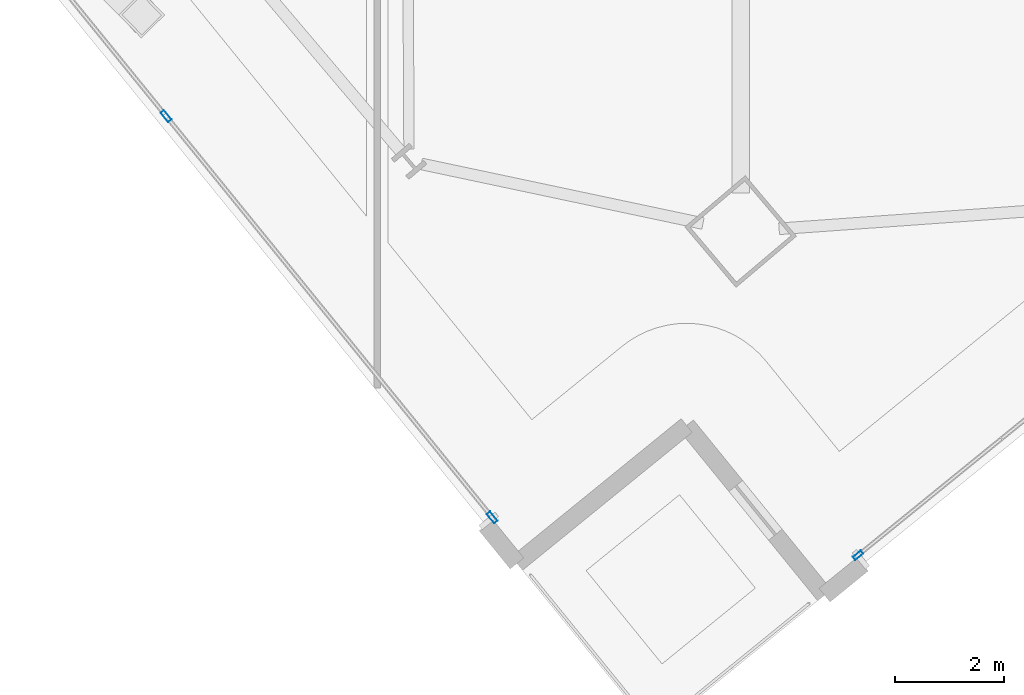
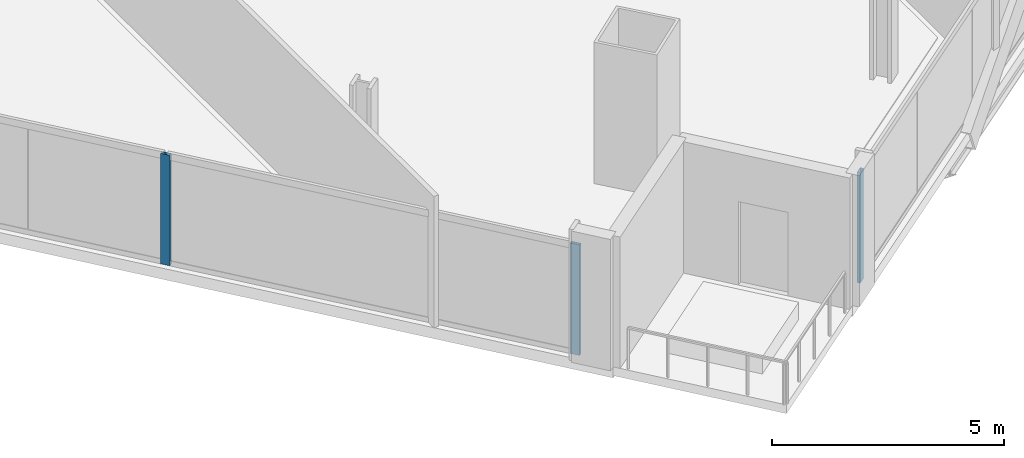
# One storey, part 2 of 36: 3 members, 2 elements without a shape of their own.
"""IFC4 building model written with IfcOpenShell, lengths in metres."""

from ifc_helpers import new_model, si_unit, direction, frame, origin, origin_2d, place, context, subcontext, project, spatial, hollow_rectangle, extrude, material, material_profile, profile_set, type_object, element, aggregate, save


model = new_model("IFC4")

# Units and contexts
model_context = context("Model", 3, precision=1e-05, world=origin(), true_north=direction((0.0, 1.0)))
body_context = subcontext(model_context, "Body", "Model", "MODEL_VIEW")
ifc_project = project(units=[si_unit("LENGTHUNIT", "METRE"), si_unit("AREAUNIT", "SQUARE_METRE"), si_unit("VOLUMEUNIT", "CUBIC_METRE"), si_unit("PLANEANGLEUNIT", "RADIAN"), si_unit("MASSUNIT", "GRAM", prefix="KILO")], contexts=[model_context])

# Site, building, storey
site_placement = place(None, origin())
site = spatial("IfcSite", under=ifc_project, at=site_placement, CompositionType="ELEMENT")
building_placement = place(site_placement, origin())
building = spatial("IfcBuilding", under=site, at=building_placement, Name="Haldenkirk Collegiate Tower", CompositionType="ELEMENT")
storey_placement = place(building_placement, frame((0.0, 0.0, 159.449951171875)))
storey = spatial("IfcBuildingStorey", under=building, at=storey_placement, Name="L39", CompositionType="ELEMENT", Elevation=159.449951171875)

# Curtain wall, member
ifc_material = material(Name="Anodised architectural bronze aluminium", Category="aluminium")
curtain_wall_type_1 = type_object("IfcCurtainWallType", Name="CW-SYS2-CONCAVE", PredefinedType="USERDEFINED", material=ifc_material)
curtain_wall_1_placement = place(storey_placement, origin())
curtain_wall_1 = element("IfcCurtainWall", 1, at=curtain_wall_1_placement, inside=storey, type_object=curtain_wall_type_1, Name="L39 South concave recessed bronze-anodised curtain wall", ObjectType="UNITISED CURTAIN WALL", PredefinedType="USERDEFINED")
ifc_material_profile_1 = material_profile(ifc_material, hollow_rectangle(XDim=0.074951171875, YDim=0.18994140625, WallThickness=0.0048828125, at=origin_2d()), Name="CW-MUL-02")
ifc_profile_set_1 = profile_set([ifc_material_profile_1], Name="Anodised architectural bronze aluminium")
member_type_1 = type_object("IfcMemberType", Name="CW-MUL-02", PredefinedType="MULLION", material=ifc_profile_set_1)
member_1_placement = place(storey_placement, frame((35.298095703125, -5.264404296875, 0.0), z_axis=(0.0, 0.0, 1.0), x_axis=(0.630673850131, -0.776047997717, 0.0)))
member_1 = element("IfcMember", 2, at=member_1_placement, type_object=member_type_1, Name="CW-02 mullion 5", PredefinedType="MULLION", context=body_context, shape_type="SweptSolid", body=[
    extrude(hollow_rectangle(XDim=0.074951171875, YDim=0.18994140625, WallThickness=0.0048828125, at=origin_2d()), origin(), (0.0, 0.0, 1.0), 2.9111328125),
])
aggregate(curtain_wall_1, [member_1])

# Curtain wall, members
curtain_wall_type_2 = type_object("IfcCurtainWallType", Name="CW-SYS1-CONVEX-LOW", PredefinedType="USERDEFINED", material=ifc_material)
curtain_wall_2_placement = place(storey_placement, origin())
curtain_wall_2 = element("IfcCurtainWall", 3, at=curtain_wall_2_placement, inside=storey, type_object=curtain_wall_type_2, Name="L39 Lower tower convex bronze-framed unitised curtain wall", ObjectType="UNITISED CURTAIN WALL", PredefinedType="USERDEFINED")
ifc_material_profile_2 = material_profile(ifc_material, hollow_rectangle(XDim=0.080078125, YDim=0.219970703125, WallThickness=0.0048828125, at=origin_2d()), Name="CW-MUL-1A")
ifc_profile_set_2 = profile_set([ifc_material_profile_2], Name="Anodised architectural bronze aluminium")
member_type_2 = type_object("IfcMemberType", Name="CW-MUL-1A", PredefinedType="MULLION", material=ifc_profile_set_2)
member_2_placement = place(storey_placement, frame((28.60400390625, -4.571044921875, 0.0), z_axis=(0.0, 0.0, 1.0), x_axis=(-0.776047587352, -0.630674355087, 0.0)))
member_2 = element("IfcMember", 4, at=member_2_placement, type_object=member_type_2, Name="CW-1A mullion 1", PredefinedType="MULLION", context=body_context, shape_type="SweptSolid", body=[
    extrude(hollow_rectangle(XDim=0.080078125, YDim=0.219970703125, WallThickness=0.0048828125, at=origin_2d()), origin(), (0.0, 0.0, 1.0), 2.9111328125),
])
member_3_placement = place(storey_placement, frame((22.6376953125, 2.770263671875, 0.0), z_axis=(0.0, 0.0, 1.0), x_axis=(-0.776047587352, -0.630674355087, 0.0)))
member_3 = element("IfcMember", 5, at=member_3_placement, type_object=member_type_2, Name="CW-1A mullion 2", PredefinedType="MULLION", context=body_context, shape_type="SweptSolid", body=[
    extrude(hollow_rectangle(XDim=0.080078125, YDim=0.219970703125, WallThickness=0.0048828125, at=origin_2d()), origin(), (0.0, 0.0, 1.0), 2.9111328125),
])
aggregate(curtain_wall_2, [member_2, member_3])

save(model, "model.ifc")
